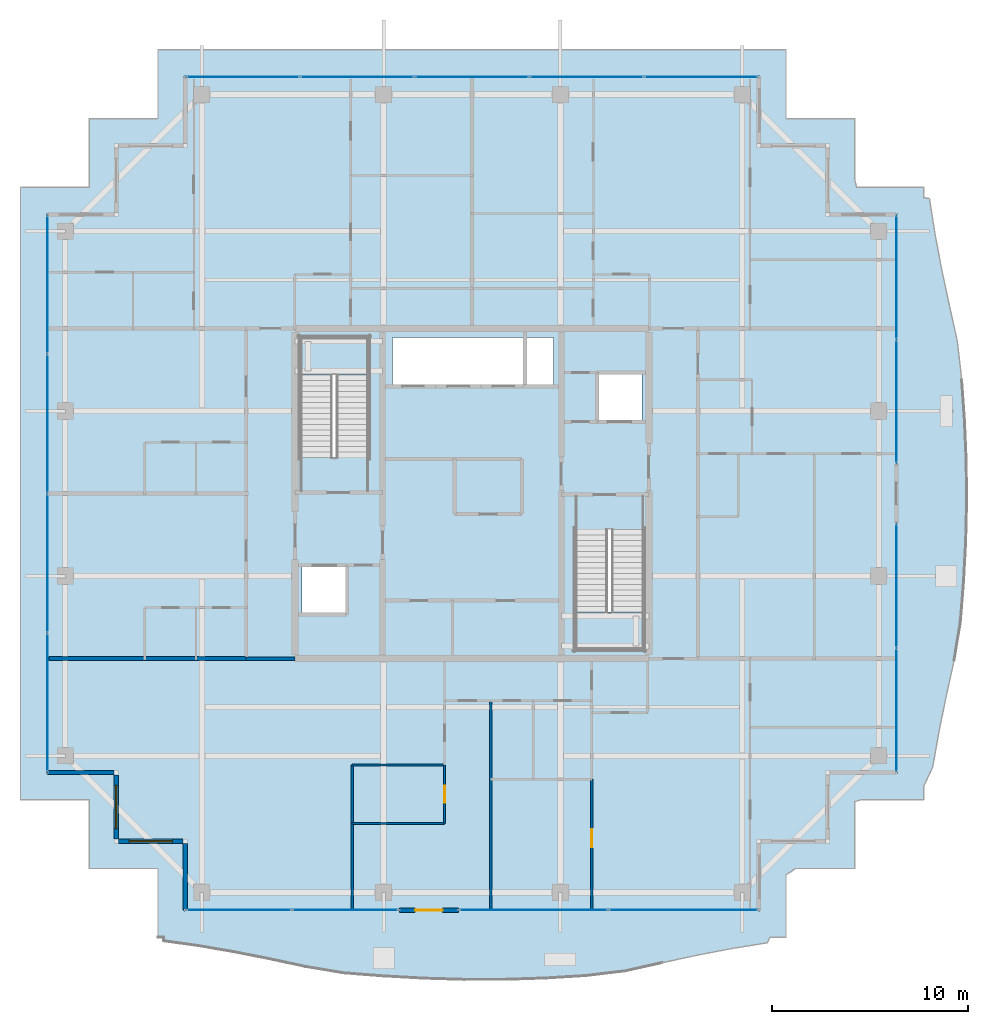
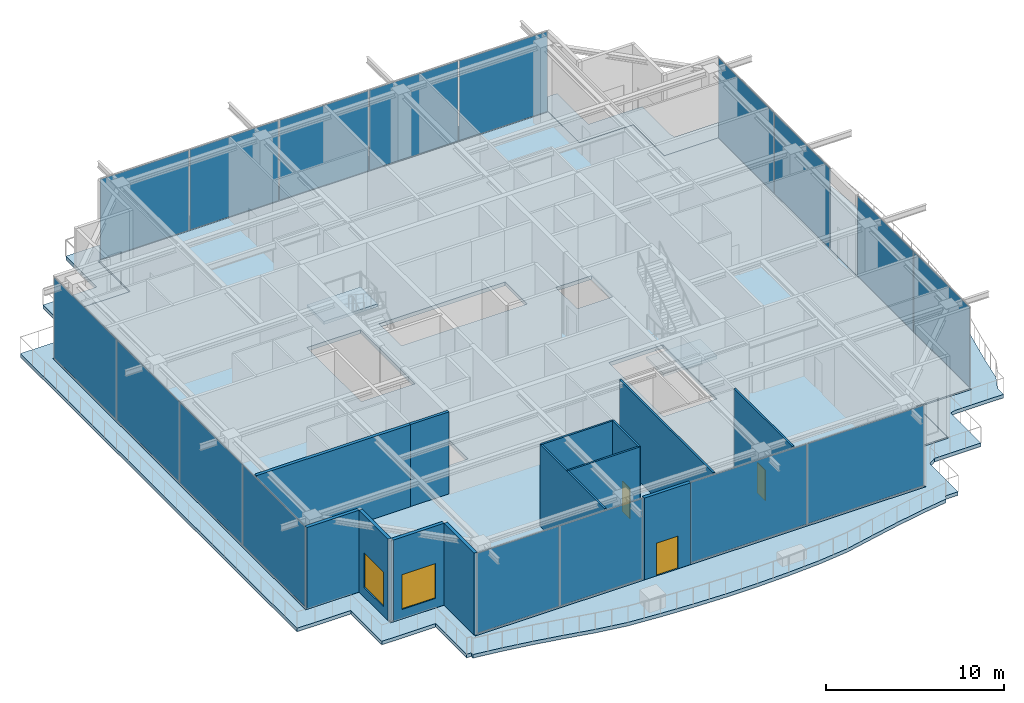
# One storey, part 26 of 38: 17 plates, 13 walls, 4 slabs, 3 doors, 2 windows, 5 openings, 8 elements without a shape of their own.
"""IFC4 building model written with IfcOpenShell, lengths in metres."""

from ifc_helpers import new_model, si_unit, direction, frame, frame_2d, origin, origin_2d, place, context, subcontext, project, spatial, polyline, rectangle, outline, extrude, source, transform, mapped, material, layer, layer_set, type_object, element, fill, aggregate, save


model = new_model("IFC4")

# Units and contexts
model_context = context("Model", 3, precision=1e-05, world=origin(), true_north=direction((0.0, 1.0)))
body_context = subcontext(model_context, "Body", "Model", "MODEL_VIEW")
ifc_project = project(units=[si_unit("LENGTHUNIT", "METRE"), si_unit("AREAUNIT", "SQUARE_METRE"), si_unit("VOLUMEUNIT", "CUBIC_METRE"), si_unit("PLANEANGLEUNIT", "RADIAN"), si_unit("MASSUNIT", "GRAM", prefix="KILO")], contexts=[model_context])

# Site, building, storey
site_placement = place(None, origin())
site = spatial("IfcSite", under=ifc_project, at=site_placement, CompositionType="ELEMENT")
building_placement = place(site_placement, origin())
building = spatial("IfcBuilding", under=site, at=building_placement, Name="Serunith Strait Residences", CompositionType="ELEMENT")
storey_placement = place(building_placement, frame((0.0, 0.0, 342.050048828125)))
storey = spatial("IfcBuildingStorey", under=building, at=storey_placement, Name="L85", CompositionType="ELEMENT", Elevation=342.050048828125)

# Slab
ifc_material_1 = material(Name="Concrete C50/60", Category="concrete")
ifc_layer_1 = layer(ifc_material_1, 0.239990234375, Name="Concrete C50/60")
ifc_layer_set_1 = layer_set([ifc_layer_1], Name="Concrete C50/60")
slab_type_1 = type_object("IfcSlabType", Name="SLB-BALC-240", PredefinedType="FLOOR", material=ifc_layer_set_1)
slab_1_placement = place(storey_placement, frame((0.0, 0.0, -0.2900390625)))
element("IfcSlab", 1, at=slab_1_placement, inside=storey, type_object=slab_type_1, Name="L85 Planted Vertical-Forest Balcony Slab", PredefinedType="FLOOR", context=body_context, shape_type="SweptSolid", body=[
    extrude(outline(polyline([(16.419921875, 2.6201171875), (16.419921875, 6.1201171875), (12.919921875, 6.1201171875), (12.919921875, 9.6201171875), (9.419921875, 9.6201171875), (9.419921875, 40.780029296875), (12.919921875, 40.780029296875), (12.919921875, 44.280029296875), (16.367919921875, 44.280029296875), (16.419921875, 44.30712890625), (16.419921875, 47.780029296875), (48.3798828125, 47.780029296875), (48.3798828125, 44.280029296875), (51.8798828125, 44.280029296875), (51.8798828125, 41.169677734375), (51.97216796875, 40.780029296875), (55.3798828125, 40.780029296875), (55.3798828125, 40.26025390625), (55.678466796875, 40.216064453125), (55.955078125, 38.44970703125), (56.290283203125, 36.666015625), (56.677001953125, 34.84716796875), (57.093017578125, 32.9736328125), (57.322998046875, 30.98828125), (57.468017578125, 28.952392578125), (57.556884765625, 26.888916015625), (57.578857421875, 24.811279296875), (57.531005859375, 22.7373046875), (57.41943359375, 20.6826171875), (57.25732421875, 18.65966796875), (56.936279296875, 16.71826171875), (56.527587890625, 14.86767578125), (56.158447265625, 13.064208984375), (55.844970703125, 11.28857421875), (55.3798828125, 10.294677734375), (55.3798828125, 9.6201171875), (52.20458984375, 9.6201171875), (51.8798828125, 9.52197265625), (51.8798828125, 6.1201171875), (48.8701171875, 6.1201171875), (48.3798828125, 5.79931640625), (48.3798828125, 2.6201171875), (47.565673828125, 2.6201171875), (47.426025390625, 2.33740234375), (45.664306640625, 2.0556640625), (43.884521484375, 1.7138671875), (42.068115234375, 1.32080078125), (40.19384765625, 0.901611328125), (38.205810546875, 0.665283203125), (36.161376953125, 0.537841796875), (34.09130859375, 0.470703125), (32.010986328125, 0.468505859375), (29.936767578125, 0.529296875), (27.8828125, 0.644287109375), (25.859130859375, 0.80126953125), (23.92138671875, 1.12646484375), (22.069091796875, 1.5224609375), (20.26318359375, 1.8798828125), (18.485107421875, 2.18359375), (16.7197265625, 2.431396484375), (16.72119140625, 2.6201171875), (16.419921875, 2.6201171875)]), holes=[polyline([(47.054931640625, 3.945068359375), (47.054931640625, 7.445068359375), (50.554931640625, 7.445068359375), (50.554931640625, 10.945068359375), (54.054931640625, 10.945068359375), (54.054931640625, 39.455078125), (50.554931640625, 39.455078125), (50.554931640625, 42.955078125), (47.054931640625, 42.955078125), (47.054931640625, 46.455078125), (17.7451171875, 46.455078125), (17.7451171875, 42.955078125), (14.2451171875, 42.955078125), (14.2451171875, 39.455078125), (10.7451171875, 39.455078125), (10.7451171875, 10.945068359375), (14.2451171875, 10.945068359375), (14.2451171875, 7.445068359375), (17.7451171875, 7.445068359375), (17.7451171875, 3.945068359375), (47.054931640625, 3.945068359375)])]), origin(), (0.0, 0.0, 1.0), 0.239990234375),
])

# Stair, slab
stair_type_1 = type_object("IfcStairType", Name="STR-CORE-1", PredefinedType="HALF_TURN_STAIR", material=ifc_material_1)
stair_1_placement = place(storey_placement, origin())
stair_1 = element("IfcStair", 2, at=stair_1_placement, inside=storey, type_object=stair_type_1, Name="L85 Protected Escape Stair ST-1", PredefinedType="HALF_TURN_STAIR")
ifc_layer_2 = layer(ifc_material_1, 0.199951171875, Name="Concrete C50/60")
ifc_layer_set_2 = layer_set([ifc_layer_2], Name="Concrete C50/60")
slab_type_2 = type_object("IfcSlabType", Name="SLB-LAND-200", PredefinedType="LANDING", material=ifc_layer_set_2)
slab_2_placement = place(storey_placement, frame((0.0, 0.0, 2.75)))
slab_2 = element("IfcSlab", 3, at=slab_2_placement, type_object=slab_type_2, Name="ST-1 landing 1", PredefinedType="LANDING", context=body_context, shape_type="SweptSolid", body=[
    extrude(outline(polyline([(27.14990234375, 31.22998046875), (27.14990234375, 33.14990234375), (23.64990234375, 33.14990234375), (23.64990234375, 31.22998046875), (27.14990234375, 31.22998046875)])), origin(), (0.0, 0.0, 1.0), 0.199951171875),
])
aggregate(stair_1, [slab_2])

stair_type_2 = type_object("IfcStairType", Name="STR-CORE-2", PredefinedType="HALF_TURN_STAIR", material=ifc_material_1)
stair_2_placement = place(storey_placement, origin())
stair_2 = element("IfcStair", 4, at=stair_2_placement, inside=storey, type_object=stair_type_2, Name="L85 Protected Escape Stair ST-2", PredefinedType="HALF_TURN_STAIR")
slab_3_placement = place(storey_placement, frame((0.0, 0.0, 2.75)))
slab_3 = element("IfcSlab", 5, at=slab_3_placement, type_object=slab_type_2, Name="ST-2 landing 1", PredefinedType="LANDING", context=body_context, shape_type="SweptSolid", body=[
    extrude(outline(polyline([(37.64990234375, 19.169921875), (37.64990234375, 17.25), (41.14990234375, 17.25), (41.14990234375, 19.169921875), (37.64990234375, 19.169921875)])), origin(), (0.0, 0.0, 1.0), 0.199951171875),
])
aggregate(stair_2, [slab_3])

# Slab
ifc_material_2 = material(Name="Concrete C60/75", Category="concrete")
ifc_layer_3 = layer(ifc_material_2, 0.260009765625, Name="Concrete C60/75")
ifc_layer_set_3 = layer_set([ifc_layer_3], Name="Concrete C60/75")
slab_type_3 = type_object("IfcSlabType", Name="SLB-TWR-290-Z4", PredefinedType="FLOOR", material=ifc_layer_set_3)
slab_4_placement = place(storey_placement, frame((0.0, 0.0, -0.260009765625)))
element("IfcSlab", 6, at=slab_4_placement, inside=storey, type_object=slab_type_3, Name="L85 Structural Floor Plate", PredefinedType="FLOOR", context=body_context, shape_type="SweptSolid", body=[
    extrude(outline(polyline([(17.800048828125, 7.5), (14.300048828125, 7.5), (14.300048828125, 11.0), (10.800048828125, 11.0), (10.800048828125, 39.39990234375), (14.300048828125, 39.39990234375), (14.300048828125, 42.89990234375), (17.800048828125, 42.89990234375), (17.800048828125, 46.39990234375), (47.0, 46.39990234375), (47.0, 42.89990234375), (50.5, 42.89990234375), (50.5, 39.39990234375), (54.0, 39.39990234375), (54.0, 11.0), (50.5, 11.0), (50.5, 7.5), (47.0, 7.5), (47.0, 4.0), (17.800048828125, 4.0), (17.800048828125, 7.5)]), holes=[polyline([(41.14990234375, 23.3701171875), (37.64990234375, 23.3701171875), (37.64990234375, 17.25), (41.14990234375, 17.25), (41.14990234375, 23.3701171875)]), polyline([(38.75, 31.25), (38.75, 28.85009765625), (41.050048828125, 28.85009765625), (41.050048828125, 31.25), (38.75, 31.25)]), polyline([(36.550048828125, 33.14990234375), (28.35009765625, 33.14990234375), (28.35009765625, 30.64990234375), (36.550048828125, 30.64990234375), (36.550048828125, 33.14990234375)]), polyline([(23.64990234375, 33.14990234375), (23.64990234375, 27.030029296875), (27.14990234375, 27.030029296875), (27.14990234375, 33.14990234375), (23.64990234375, 33.14990234375)]), polyline([(23.75, 21.550048828125), (23.75, 19.14990234375), (26.050048828125, 19.14990234375), (26.050048828125, 21.550048828125), (23.75, 21.550048828125)])]), origin(), (0.0, 0.0, 1.0), 0.260009765625),
])

# Curtain wall, plates
ifc_material_3 = material(Name="Brushed Stainless-Silver Aluminium", Category="aluminium")
ifc_layer_4 = layer(ifc_material_3, 0.199951171875, Name="Brushed Stainless-Silver Aluminium")
ifc_layer_set_4 = layer_set([ifc_layer_4], Name="Brushed Stainless-Silver Aluminium")
curtain_wall_type = type_object("IfcCurtainWallType", Name="CW-SYS5", PredefinedType="NOTDEFINED", material=ifc_layer_set_4)
curtain_wall_1_placement = place(storey_placement, origin())
curtain_wall_1 = element("IfcCurtainWall", 7, at=curtain_wall_1_placement, inside=storey, type_object=curtain_wall_type, Name="L85 S Unitised Fritted Curtain Wall", PredefinedType="NOTDEFINED")
ifc_material_4 = material(Name="Triple-Silver Low-E Operable Glazing 34mm", Category="glass")
ifc_layer_5 = layer(ifc_material_4, 0.033935546875, Name="Triple-Silver Low-E Operable Glazing 34mm")
ifc_layer_set_5 = layer_set([ifc_layer_5], Name="Triple-Silver Low-E Operable Glazing 34mm")
plate_type = type_object("IfcPlateType", Name="CW-SYS5-PNL", PredefinedType="CURTAIN_PANEL", material=ifc_layer_set_5)
shared_shape_1 = source(origin(), body_context, "Body", "SweptSolid", [
    extrude(rectangle(XDim=5.3525390625, YDim=0.033935546875, at=origin_2d()), origin(), (0.0, 0.0, 1.0), 5.5048828125),
])
plate_1_placement = place(storey_placement, frame((20.541259765625, 4.0, 0.06005859375), z_axis=(0.0, 0.0, 1.0), x_axis=(1.0, 0.0, 0.0)))
plate_1 = element("IfcPlate", 8, at=plate_1_placement, type_object=plate_type, Name="CW-5 panel 1.1", PredefinedType="CURTAIN_PANEL", context=body_context, shape_type="MappedRepresentation", body=[
    mapped(shared_shape_1, transform((0.0, 0.0, 0.0), scale=1.0)),
])
plate_2_placement = place(storey_placement, frame((25.958740234375, 4.0, 0.06005859375), z_axis=(0.0, 0.0, 1.0), x_axis=(1.0, 0.0, 0.0)))
plate_2 = element("IfcPlate", 9, at=plate_2_placement, type_object=plate_type, Name="CW-5 panel 2.1", PredefinedType="CURTAIN_PANEL", context=body_context, shape_type="MappedRepresentation", body=[
    mapped(shared_shape_1, transform((0.0, 0.0, 0.0), scale=1.0)),
])
aggregate(curtain_wall_1, [plate_1, plate_2])

curtain_wall_2_placement = place(storey_placement, origin())
curtain_wall_2 = element("IfcCurtainWall", 10, at=curtain_wall_2_placement, inside=storey, type_object=curtain_wall_type, Name="L85 S Unitised Fritted Curtain Wall", PredefinedType="NOTDEFINED")
shared_shape_2 = source(origin(), body_context, "Body", "SweptSolid", [
    extrude(rectangle(XDim=7.552490234375, YDim=0.033935546875, at=origin_2d()), origin(), (0.0, 0.0, 1.0), 5.5048828125),
])
plate_3_placement = place(storey_placement, frame((35.541259765625, 4.0, 0.06005859375), z_axis=(0.0, 0.0, 1.0), x_axis=(1.0, 0.0, 0.0)))
plate_3 = element("IfcPlate", 11, at=plate_3_placement, type_object=plate_type, Name="CW-5 panel 1.1", PredefinedType="CURTAIN_PANEL", context=body_context, shape_type="MappedRepresentation", body=[
    mapped(shared_shape_2, transform((0.0, 0.0, 0.0), scale=1.0)),
])
plate_4_placement = place(storey_placement, frame((43.15869140625, 4.0, 0.06005859375), z_axis=(0.0, 0.0, 1.0), x_axis=(1.0, 0.0, 0.0)))
plate_4 = element("IfcPlate", 12, at=plate_4_placement, type_object=plate_type, Name="CW-5 panel 2.1", PredefinedType="CURTAIN_PANEL", context=body_context, shape_type="MappedRepresentation", body=[
    mapped(shared_shape_2, transform((0.0, 0.0, 0.0), scale=1.0)),
])
aggregate(curtain_wall_2, [plate_3, plate_4])

curtain_wall_3_placement = place(storey_placement, origin())
curtain_wall_3 = element("IfcCurtainWall", 13, at=curtain_wall_3_placement, inside=storey, type_object=curtain_wall_type, Name="L85 E Unitised Fritted Curtain Wall", PredefinedType="NOTDEFINED")
shared_shape_3 = source(origin(), body_context, "Body", "SweptSolid", [
    extrude(rectangle(XDim=6.25244140625, YDim=0.033935546875, at=origin_2d()), origin(), (0.0, 0.0, 1.0), 5.5048828125),
])
plate_5_placement = place(storey_placement, frame((54.0, 14.191162109375, 0.06005859375), z_axis=(0.0, 0.0, 1.0), x_axis=(0.0, 1.0, 0.0)))
plate_5 = element("IfcPlate", 14, at=plate_5_placement, type_object=plate_type, Name="CW-5 panel 1.1", PredefinedType="CURTAIN_PANEL", context=body_context, shape_type="MappedRepresentation", body=[
    mapped(shared_shape_3, transform((0.0, 0.0, 0.0), scale=1.0)),
])
plate_6_placement = place(storey_placement, frame((54.0, 20.5087890625, 0.06005859375), z_axis=(0.0, 0.0, 1.0), x_axis=(0.0, 1.0, 0.0)))
plate_6 = element("IfcPlate", 15, at=plate_6_placement, type_object=plate_type, Name="CW-5 panel 2.1", PredefinedType="CURTAIN_PANEL", context=body_context, shape_type="MappedRepresentation", body=[
    mapped(shared_shape_3, transform((0.0, 0.0, 0.0), scale=1.0)),
])
aggregate(curtain_wall_3, [plate_5, plate_6])

curtain_wall_4_placement = place(storey_placement, origin())
curtain_wall_4 = element("IfcCurtainWall", 16, at=curtain_wall_4_placement, inside=storey, type_object=curtain_wall_type, Name="L85 E Unitised Fritted Curtain Wall", PredefinedType="NOTDEFINED")
plate_7_placement = place(storey_placement, frame((54.0, 29.891357421875, 0.06005859375), z_axis=(0.0, 0.0, 1.0), x_axis=(0.0, 1.0, 0.0)))
plate_7 = element("IfcPlate", 17, at=plate_7_placement, type_object=plate_type, Name="CW-5 panel 1.1", PredefinedType="CURTAIN_PANEL", context=body_context, shape_type="MappedRepresentation", body=[
    mapped(shared_shape_3, transform((0.0, 0.0, 0.0), scale=1.0)),
])
plate_8_placement = place(storey_placement, frame((54.0, 36.208740234375, 0.06005859375), z_axis=(0.0, 0.0, 1.0), x_axis=(0.0, 1.0, 0.0)))
plate_8 = element("IfcPlate", 18, at=plate_8_placement, type_object=plate_type, Name="CW-5 panel 2.1", PredefinedType="CURTAIN_PANEL", context=body_context, shape_type="MappedRepresentation", body=[
    mapped(shared_shape_3, transform((0.0, 0.0, 0.0), scale=1.0)),
])
aggregate(curtain_wall_4, [plate_7, plate_8])

curtain_wall_5_placement = place(storey_placement, origin())
curtain_wall_5 = element("IfcCurtainWall", 19, at=curtain_wall_5_placement, inside=storey, type_object=curtain_wall_type, Name="L85 N Unitised Fritted Curtain Wall", PredefinedType="NOTDEFINED")
shared_shape_4 = source(origin(), body_context, "Body", "SweptSolid", [
    extrude(rectangle(XDim=5.742431640625, YDim=0.033935546875, at=origin_2d()), origin(), (0.0, 0.0, 1.0), 5.5048828125),
])
plate_9_placement = place(storey_placement, frame((44.063720703125, 46.39990234375, 0.06005859375), z_axis=(0.0, 0.0, 1.0), x_axis=(-1.0, 0.0, 0.0)))
plate_9 = element("IfcPlate", 20, at=plate_9_placement, type_object=plate_type, Name="CW-5 panel 1.1", PredefinedType="CURTAIN_PANEL", context=body_context, shape_type="MappedRepresentation", body=[
    mapped(shared_shape_4, transform((0.0, 0.0, 0.0), scale=1.0)),
])
plate_10_placement = place(storey_placement, frame((20.736328125, 46.39990234375, 0.06005859375), z_axis=(0.0, 0.0, 1.0), x_axis=(-1.0, 0.0, 0.0)))
plate_10 = element("IfcPlate", 21, at=plate_10_placement, type_object=plate_type, Name="CW-5 panel 5.1", PredefinedType="CURTAIN_PANEL", context=body_context, shape_type="MappedRepresentation", body=[
    mapped(shared_shape_4, transform((0.0, 0.0, 0.0), scale=1.0)),
])
shared_shape_5 = source(origin(), body_context, "Body", "SweptSolid", [
    extrude(rectangle(XDim=5.77490234375, YDim=0.033935546875, at=origin_2d()), origin(), (0.0, 0.0, 1.0), 5.5048828125),
])
plate_11_placement = place(storey_placement, frame((38.239990234375, 46.39990234375, 0.06005859375), z_axis=(0.0, 0.0, 1.0), x_axis=(-1.0, 0.0, 0.0)))
plate_11 = element("IfcPlate", 22, at=plate_11_placement, type_object=plate_type, Name="CW-5 panel 2.1", PredefinedType="CURTAIN_PANEL", context=body_context, shape_type="MappedRepresentation", body=[
    mapped(shared_shape_5, transform((0.0, 0.0, 0.0), scale=1.0)),
])
plate_12_placement = place(storey_placement, frame((32.39990234375, 46.39990234375, 0.06005859375), z_axis=(0.0, 0.0, 1.0), x_axis=(-1.0, 0.0, 0.0)))
plate_12 = element("IfcPlate", 23, at=plate_12_placement, type_object=plate_type, Name="CW-5 panel 3.1", PredefinedType="CURTAIN_PANEL", context=body_context, shape_type="MappedRepresentation", body=[
    mapped(shared_shape_5, transform((0.0, 0.0, 0.0), scale=1.0)),
])
plate_13_placement = place(storey_placement, frame((26.56005859375, 46.39990234375, 0.06005859375), z_axis=(0.0, 0.0, 1.0), x_axis=(-1.0, 0.0, 0.0)))
plate_13 = element("IfcPlate", 24, at=plate_13_placement, type_object=plate_type, Name="CW-5 panel 4.1", PredefinedType="CURTAIN_PANEL", context=body_context, shape_type="MappedRepresentation", body=[
    mapped(shared_shape_5, transform((0.0, 0.0, 0.0), scale=1.0)),
])
aggregate(curtain_wall_5, [plate_9, plate_11, plate_12, plate_13, plate_10])

curtain_wall_6_placement = place(storey_placement, origin())
curtain_wall_6 = element("IfcCurtainWall", 25, at=curtain_wall_6_placement, inside=storey, type_object=curtain_wall_type, Name="L85 W Unitised Fritted Curtain Wall", PredefinedType="NOTDEFINED")
shared_shape_6 = source(origin(), body_context, "Body", "SweptSolid", [
    extrude(rectangle(XDim=7.00244140625, YDim=0.033935546875, at=origin_2d()), origin(), (0.0, 0.0, 1.0), 5.5048828125),
])
plate_14_placement = place(storey_placement, frame((10.800048828125, 35.833740234375, 0.06005859375), z_axis=(0.0, 0.0, 1.0), x_axis=(0.0, -1.0, 0.0)))
plate_14 = element("IfcPlate", 26, at=plate_14_placement, type_object=plate_type, Name="CW-5 panel 1.1", PredefinedType="CURTAIN_PANEL", context=body_context, shape_type="MappedRepresentation", body=[
    mapped(shared_shape_6, transform((0.0, 0.0, 0.0), scale=1.0)),
])
plate_15_placement = place(storey_placement, frame((10.800048828125, 14.566162109375, 0.06005859375), z_axis=(0.0, 0.0, 1.0), x_axis=(0.0, -1.0, 0.0)))
plate_15 = element("IfcPlate", 27, at=plate_15_placement, type_object=plate_type, Name="CW-5 panel 4.1", PredefinedType="CURTAIN_PANEL", context=body_context, shape_type="MappedRepresentation", body=[
    mapped(shared_shape_6, transform((0.0, 0.0, 0.0), scale=1.0)),
])
shared_shape_7 = source(origin(), body_context, "Body", "SweptSolid", [
    extrude(rectangle(XDim=7.034912109375, YDim=0.033935546875, at=origin_2d()), origin(), (0.0, 0.0, 1.0), 5.5048828125),
])
plate_16_placement = place(storey_placement, frame((10.800048828125, 28.75, 0.06005859375), z_axis=(0.0, 0.0, 1.0), x_axis=(0.0, -1.0, 0.0)))
plate_16 = element("IfcPlate", 28, at=plate_16_placement, type_object=plate_type, Name="CW-5 panel 2.1", PredefinedType="CURTAIN_PANEL", context=body_context, shape_type="MappedRepresentation", body=[
    mapped(shared_shape_7, transform((0.0, 0.0, 0.0), scale=1.0)),
])
plate_17_placement = place(storey_placement, frame((10.800048828125, 21.64990234375, 0.06005859375), z_axis=(0.0, 0.0, 1.0), x_axis=(0.0, -1.0, 0.0)))
plate_17 = element("IfcPlate", 29, at=plate_17_placement, type_object=plate_type, Name="CW-5 panel 3.1", PredefinedType="CURTAIN_PANEL", context=body_context, shape_type="MappedRepresentation", body=[
    mapped(shared_shape_7, transform((0.0, 0.0, 0.0), scale=1.0)),
])
aggregate(curtain_wall_6, [plate_14, plate_16, plate_17, plate_15])

# Wall, opening, door
ifc_material_5 = material(Name="Pale-Champagne Aluminium Insulated Panel", Category="aluminium")
ifc_layer_6 = layer(ifc_material_5, 0.219970703125, Name="Pale-Champagne Aluminium Insulated Panel")
ifc_layer_set_6 = layer_set([ifc_layer_6], Name="Pale-Champagne Aluminium Insulated Panel")
wall_type_1 = type_object("IfcWallType", Name="EW-ALUM-220", PredefinedType="ELEMENTEDWALL", material=ifc_layer_set_6)
wall_1_placement = place(storey_placement, frame((28.699951171875, 4.0, 0.0), z_axis=(0.0, 0.0, 1.0), x_axis=(1.0, 0.0, 0.0)))
wall_1 = element("IfcWall", 30, at=wall_1_placement, inside=storey, type_object=wall_type_1, Name="L85 S Facade Pier Wall", PredefinedType="ELEMENTEDWALL", context=body_context, shape_type="SweptSolid", body=[
    extrude(rectangle(XDim=3.0, YDim=0.219970703125, at=frame_2d((1.5, 0.0))), origin(), (0.0, 0.0, 1.0), 5.625),
])
opening_1_placement = place(wall_1_placement, frame((0.800048828125, 0.0, 0.0)))
opening_1 = element("IfcOpeningElement", 31, at=opening_1_placement, cuts=wall_1, Name="Opening ED-04", PredefinedType="OPENING", context=body_context, shape_type="SweptSolid", body=[
    extrude(rectangle(XDim=1.39990234375, YDim=2.25, at=frame_2d((0.699951171875, 1.125))), frame((0.0, 0.1201171875, 0.0), z_axis=(0.0, -1.0, 0.0), x_axis=(1.0, 0.0, 0.0)), (0.0, 0.0, 1.0), 0.239990234375),
])
ifc_material_6 = material(Name="Thermally-Broken Aluminium Sliding Balcony Door", Category="aluminium")
door_type_1 = type_object("IfcDoorType", Name="ED-BALC-1400", OperationType="NOTDEFINED", PredefinedType="DOOR", material=ifc_material_6)
shared_shape_8 = source(origin(), body_context, "Body", "SweptSolid", [
    extrude(rectangle(XDim=1.39990234375, YDim=2.25, at=frame_2d((0.699951171875, 1.125))), frame((0.0, 0.02490234375, 0.0), z_axis=(0.0, -1.0, 0.0), x_axis=(1.0, 0.0, 0.0)), (0.0, 0.0, 1.0), 0.050048828125),
])
door_1_placement = place(opening_1_placement, origin())
door_1 = element("IfcDoor", 32, at=door_1_placement, inside=storey, type_object=door_type_1, Name="L85 S Vertical-Forest Balcony Door", OperationType="SLIDING_TO_LEFT", OverallHeight=2.25, OverallWidth=1.39990234375, PredefinedType="DOOR", context=body_context, shape_type="MappedRepresentation", body=[
    mapped(shared_shape_8, transform((0.0, 0.0, 0.0), scale=1.0)),
])
fill(opening_1, door_1)

# Wall
wall_2_placement = place(storey_placement, frame((10.800048828125, 11.0, 0.0), z_axis=(0.0, 0.0, 1.0), x_axis=(1.0, 0.0, 0.0)))
element("IfcWall", 33, at=wall_2_placement, inside=storey, type_object=wall_type_1, Name="L85 Girih Serrated Corner Wall 17", PredefinedType="ELEMENTEDWALL", context=body_context, shape_type="SweptSolid", body=[
    extrude(rectangle(XDim=3.389892578125, YDim=0.219970703125, at=frame_2d((1.69482421875, 0.0))), origin(), (0.0, 0.0, 1.0), 5.625),
])

# Wall, opening, window
wall_3_placement = place(storey_placement, frame((14.300048828125, 10.889892578125, 0.0), z_axis=(0.0, 0.0, 1.0), x_axis=(0.0, -1.0, 0.0)))
wall_3 = element("IfcWall", 34, at=wall_3_placement, inside=storey, type_object=wall_type_1, Name="L85 Girih Serrated Corner Wall 18", PredefinedType="ELEMENTEDWALL", context=body_context, shape_type="SweptSolid", body=[
    extrude(rectangle(XDim=3.27978515625, YDim=0.219970703125, at=frame_2d((1.639892578125, 0.0))), origin(), (0.0, 0.0, 1.0), 5.625),
])
opening_2_placement = place(wall_3_placement, frame((0.5400390625, 0.0, 0.64990234375)))
opening_2 = element("IfcOpeningElement", 35, at=opening_2_placement, cuts=wall_3, Name="Opening W-06", PredefinedType="OPENING", context=body_context, shape_type="SweptSolid", body=[
    extrude(rectangle(XDim=2.199951171875, YDim=2.39990234375, at=frame_2d((1.10009765625, 1.199951171875))), frame((0.0, 0.1201171875, 0.0), z_axis=(0.0, -1.0, 0.0), x_axis=(1.0, 0.0, 0.0)), (0.0, 0.0, 1.0), 0.239990234375),
])
ifc_material_7 = material(Name="Crown Penthouse Low-E Operable Window Glass", Category="glass")
window_type = type_object("IfcWindowType", Name="WIN-C6", PartitioningType="TRIPLE_PANEL_VERTICAL", PredefinedType="WINDOW", material=ifc_material_7)
shared_shape_9 = source(origin(), body_context, "Body", "SweptSolid", [
    extrude(rectangle(XDim=2.199951171875, YDim=2.39990234375, at=frame_2d((1.10009765625, 1.199951171875))), frame((0.0, 0.030029296875, 0.0), z_axis=(0.0, -1.0, 0.0), x_axis=(1.0, 0.0, 0.0)), (0.0, 0.0, 1.0), 0.06005859375),
])
window_1_placement = place(opening_2_placement, origin())
window_1 = element("IfcWindow", 36, at=window_1_placement, inside=storey, type_object=window_type, Name="L85 Corner Operable Fritted Window 18", OverallHeight=2.39990234375, OverallWidth=2.199951171875, PartitioningType="SINGLE_PANEL", PredefinedType="WINDOW", context=body_context, shape_type="MappedRepresentation", body=[
    mapped(shared_shape_9, transform((0.0, 0.0, 0.0), scale=1.0)),
])
fill(opening_2, window_1)

wall_4_placement = place(storey_placement, frame((14.409912109375, 7.5, 0.0), z_axis=(0.0, 0.0, 1.0), x_axis=(1.0, 0.0, 0.0)))
wall_4 = element("IfcWall", 37, at=wall_4_placement, inside=storey, type_object=wall_type_1, Name="L85 Girih Serrated Corner Wall 19", PredefinedType="ELEMENTEDWALL", context=body_context, shape_type="SweptSolid", body=[
    extrude(rectangle(XDim=3.280029296875, YDim=0.219970703125, at=frame_2d((1.64013671875, 0.0))), origin(), (0.0, 0.0, 1.0), 5.625),
])
opening_3_placement = place(wall_4_placement, frame((0.5400390625, 0.0, 0.64990234375)))
opening_3 = element("IfcOpeningElement", 38, at=opening_3_placement, cuts=wall_4, Name="Opening W-06", PredefinedType="OPENING", context=body_context, shape_type="SweptSolid", body=[
    extrude(rectangle(XDim=2.199951171875, YDim=2.39990234375, at=frame_2d((1.10009765625, 1.199951171875))), frame((0.0, 0.1201171875, 0.0), z_axis=(0.0, -1.0, 0.0), x_axis=(1.0, 0.0, 0.0)), (0.0, 0.0, 1.0), 0.239990234375),
])
window_2_placement = place(opening_3_placement, origin())
window_2 = element("IfcWindow", 39, at=window_2_placement, inside=storey, type_object=window_type, Name="L85 Corner Operable Fritted Window 19", OverallHeight=2.39990234375, OverallWidth=2.199951171875, PartitioningType="SINGLE_PANEL", PredefinedType="WINDOW", context=body_context, shape_type="MappedRepresentation", body=[
    mapped(shared_shape_9, transform((0.0, 0.0, 0.0), scale=1.0)),
])
fill(opening_3, window_2)

# Walls
wall_5_placement = place(storey_placement, frame((17.800048828125, 7.389892578125, 0.0), z_axis=(0.0, 0.0, 1.0), x_axis=(0.0, -1.0, 0.0)))
element("IfcWall", 40, at=wall_5_placement, inside=storey, type_object=wall_type_1, Name="L85 Girih Serrated Corner Wall 20", PredefinedType="ELEMENTEDWALL", context=body_context, shape_type="SweptSolid", body=[
    extrude(rectangle(XDim=3.389892578125, YDim=0.219970703125, at=frame_2d((1.69482421875, 0.0))), origin(), (0.0, 0.0, 1.0), 5.625),
])
ifc_material_8 = material(Name="Fire-rated acoustic gypsum partition")
ifc_layer_7 = layer(ifc_material_8, 0.179931640625, Name="Fire-rated acoustic gypsum partition")
ifc_layer_set_7 = layer_set([ifc_layer_7], Name="Fire-rated acoustic gypsum partition")
wall_type_2 = type_object("IfcWallType", Name="IW-CORR-180", PredefinedType="PARTITIONING", material=ifc_layer_set_7)
wall_6_placement = place(storey_placement, frame((20.902099609375, 16.800048828125, 0.0), z_axis=(0.0, 0.0, 1.0), x_axis=(1.0, 0.0, 0.0)))
element("IfcWall", 41, at=wall_6_placement, inside=storey, type_object=wall_type_2, Name="L85 Partition Wall 025", PredefinedType="PARTITIONING", context=body_context, shape_type="SweptSolid", body=[
    extrude(rectangle(XDim=2.495849609375, YDim=0.179931640625, at=frame_2d((1.248046875, 0.0))), origin(), (0.0, 0.0, 1.0), 5.639892578125),
])

# Wall, opening, door
ifc_material_9 = material(Name="Lightweight steel-stud gypsum partition", Category="steel")
ifc_layer_8 = layer(ifc_material_9, 0.1201171875, Name="Lightweight steel-stud gypsum partition")
ifc_layer_set_8 = layer_set([ifc_layer_8], Name="Lightweight steel-stud gypsum partition")
wall_type_3 = type_object("IfcWallType", Name="IW-PART-120", PredefinedType="PARTITIONING", material=ifc_layer_set_8)
wall_7_placement = place(storey_placement, frame((38.5, 4.094970703125, 0.0), z_axis=(0.0, 0.0, 1.0), x_axis=(0.0, 1.0, 0.0)))
wall_7 = element("IfcWall", 42, at=wall_7_placement, inside=storey, type_object=wall_type_3, Name="L85 Partition Wall 034", PredefinedType="PARTITIONING", context=body_context, shape_type="SweptSolid", body=[
    extrude(rectangle(XDim=6.569091796875, YDim=0.1201171875, at=frame_2d((3.28466796875, 0.0))), origin(), (0.0, 0.0, 1.0), 5.639892578125),
])
opening_4_placement = place(wall_7_placement, frame((3.117919921875, 0.0, 0.0)))
opening_4 = element("IfcOpeningElement", 43, at=opening_4_placement, cuts=wall_7, Name="Opening D-RM900", PredefinedType="OPENING", context=body_context, shape_type="SweptSolid", body=[
    extrude(rectangle(XDim=0.89990234375, YDim=2.10009765625, at=frame_2d((0.449951171875, 1.050048828125))), frame((0.0, 0.070068359375, 0.0), z_axis=(0.0, -1.0, 0.0), x_axis=(1.0, 0.0, 0.0)), (0.0, 0.0, 1.0), 0.14013671875),
])
ifc_material_10 = material(Name="Engineered timber flush bedroom door", Category="wood")
door_type_2 = type_object("IfcDoorType", Name="ID-ROOM-900", OperationType="NOTDEFINED", PredefinedType="DOOR", material=ifc_material_10)
shared_shape_10 = source(origin(), body_context, "Body", "SweptSolid", [
    extrude(rectangle(XDim=0.89990234375, YDim=2.10009765625, at=frame_2d((0.449951171875, 1.050048828125))), frame((0.0, 0.02490234375, 0.0), z_axis=(0.0, -1.0, 0.0), x_axis=(1.0, 0.0, 0.0)), (0.0, 0.0, 1.0), 0.050048828125),
])
door_2_placement = place(opening_4_placement, origin())
door_2 = element("IfcDoor", 44, at=door_2_placement, inside=storey, type_object=door_type_2, Name="L85 Formal Dining Room 1 8501 Door", OperationType="SINGLE_SWING_LEFT", OverallHeight=2.10009765625, OverallWidth=0.89990234375, PredefinedType="DOOR", context=body_context, shape_type="MappedRepresentation", body=[
    mapped(shared_shape_10, transform((0.0, 0.0, 0.0), scale=1.0)),
])
fill(opening_4, door_2)

# Walls
wall_8_placement = place(storey_placement, frame((33.35009765625, 4.094970703125, 0.0), z_axis=(0.0, 0.0, 1.0), x_axis=(0.0, 1.0, 0.0)))
element("IfcWall", 45, at=wall_8_placement, inside=storey, type_object=wall_type_3, Name="L85 Partition Wall 037", PredefinedType="PARTITIONING", context=body_context, shape_type="SweptSolid", body=[
    extrude(rectangle(XDim=10.554931640625, YDim=0.1201171875, at=frame_2d((5.27734375, 0.0))), origin(), (0.0, 0.0, 1.0), 5.639892578125),
])
wall_9_placement = place(storey_placement, frame((26.300048828125, 8.409912109375, 0.0), z_axis=(0.0, 0.0, 1.0), x_axis=(1.0, 0.0, 0.0)))
element("IfcWall", 46, at=wall_9_placement, inside=storey, type_object=wall_type_3, Name="L85 Partition Wall 042", PredefinedType="PARTITIONING", context=body_context, shape_type="SweptSolid", body=[
    extrude(rectangle(XDim=4.699951171875, YDim=0.1201171875, at=frame_2d((2.35009765625, 0.0))), origin(), (0.0, 0.0, 1.0), 5.639892578125),
])
wall_10_placement = place(storey_placement, frame((26.300048828125, 4.094970703125, 0.0), z_axis=(0.0, 0.0, 1.0), x_axis=(0.0, 1.0, 0.0)))
element("IfcWall", 47, at=wall_10_placement, inside=storey, type_object=wall_type_3, Name="L85 Partition Wall 043", PredefinedType="PARTITIONING", context=body_context, shape_type="SweptSolid", body=[
    extrude(rectangle(XDim=7.2939453125, YDim=0.1201171875, at=frame_2d((3.64697265625, 0.0))), origin(), (0.0, 0.0, 1.0), 5.639892578125),
])
wall_11_placement = place(storey_placement, frame((26.300048828125, 11.388916015625, 0.0), z_axis=(0.0, 0.0, 1.0), x_axis=(1.0, 0.0, 0.0)))
element("IfcWall", 48, at=wall_11_placement, inside=storey, type_object=wall_type_3, Name="L85 Partition Wall 044", PredefinedType="PARTITIONING", context=body_context, shape_type="SweptSolid", body=[
    extrude(rectangle(XDim=4.699951171875, YDim=0.1201171875, at=frame_2d((2.35009765625, 0.0))), origin(), (0.0, 0.0, 1.0), 5.639892578125),
])

# Wall, opening, door
wall_12_placement = place(storey_placement, frame((31.0, 8.409912109375, 0.0), z_axis=(0.0, 0.0, 1.0), x_axis=(0.0, 1.0, 0.0)))
wall_12 = element("IfcWall", 49, at=wall_12_placement, inside=storey, type_object=wall_type_3, Name="L85 Partition Wall 045", PredefinedType="PARTITIONING", context=body_context, shape_type="SweptSolid", body=[
    extrude(rectangle(XDim=2.97900390625, YDim=0.1201171875, at=frame_2d((1.489501953125, 0.0))), origin(), (0.0, 0.0, 1.0), 5.639892578125),
])
opening_5_placement = place(wall_12_placement, frame((1.06396484375, 0.0, 0.0)))
opening_5 = element("IfcOpeningElement", 50, at=opening_5_placement, cuts=wall_12, Name="Opening D-BTH850", PredefinedType="OPENING", context=body_context, shape_type="SweptSolid", body=[
    extrude(rectangle(XDim=0.85009765625, YDim=2.10009765625, at=frame_2d((0.425048828125, 1.050048828125))), frame((0.0, 0.070068359375, 0.0), z_axis=(0.0, -1.0, 0.0), x_axis=(1.0, 0.0, 0.0)), (0.0, 0.0, 1.0), 0.14013671875),
])
ifc_material_11 = material(Name="Moisture-resistant timber bathroom door", Category="wood")
door_type_3 = type_object("IfcDoorType", Name="ID-BATH-850", OperationType="NOTDEFINED", PredefinedType="DOOR", material=ifc_material_11)
shared_shape_11 = source(origin(), body_context, "Body", "SweptSolid", [
    extrude(rectangle(XDim=0.85009765625, YDim=2.10009765625, at=frame_2d((0.425048828125, 1.050048828125))), frame((0.0, 0.02490234375, 0.0), z_axis=(0.0, -1.0, 0.0), x_axis=(1.0, 0.0, 0.0)), (0.0, 0.0, 1.0), 0.050048828125),
])
door_3_placement = place(opening_5_placement, origin())
door_3 = element("IfcDoor", 51, at=door_3_placement, inside=storey, type_object=door_type_3, Name="L85 En-suite Bathroom W 8501 Door", OperationType="SINGLE_SWING_LEFT", OverallHeight=2.10009765625, OverallWidth=0.85009765625, PredefinedType="DOOR", context=body_context, shape_type="MappedRepresentation", body=[
    mapped(shared_shape_11, transform((0.0, 0.0, 0.0), scale=1.0)),
])
fill(opening_5, door_3)

# Wall
ifc_material_12 = material(Name="Twin-stud acoustic gypsum board partition")
ifc_layer_9 = layer(ifc_material_12, 0.199951171875, Name="Twin-stud acoustic gypsum board partition")
ifc_layer_set_9 = layer_set([ifc_layer_9], Name="Twin-stud acoustic gypsum board partition")
wall_type_4 = type_object("IfcWallType", Name="IW-PARTY-200", PredefinedType="PARTITIONING", material=ifc_layer_set_9)
wall_13_placement = place(storey_placement, frame((10.882080078125, 16.800048828125, 0.0), z_axis=(0.0, 0.0, 1.0), x_axis=(1.0, 0.0, 0.0)))
element("IfcWall", 52, at=wall_13_placement, inside=storey, type_object=wall_type_4, Name="L85 Partition Wall 021", PredefinedType="PARTITIONING", context=body_context, shape_type="SweptSolid", body=[
    extrude(rectangle(XDim=10.017822265625, YDim=0.199951171875, at=frame_2d((5.0087890625, 0.0))), origin(), (0.0, 0.0, 1.0), 5.639892578125),
])

save(model, "model.ifc")
